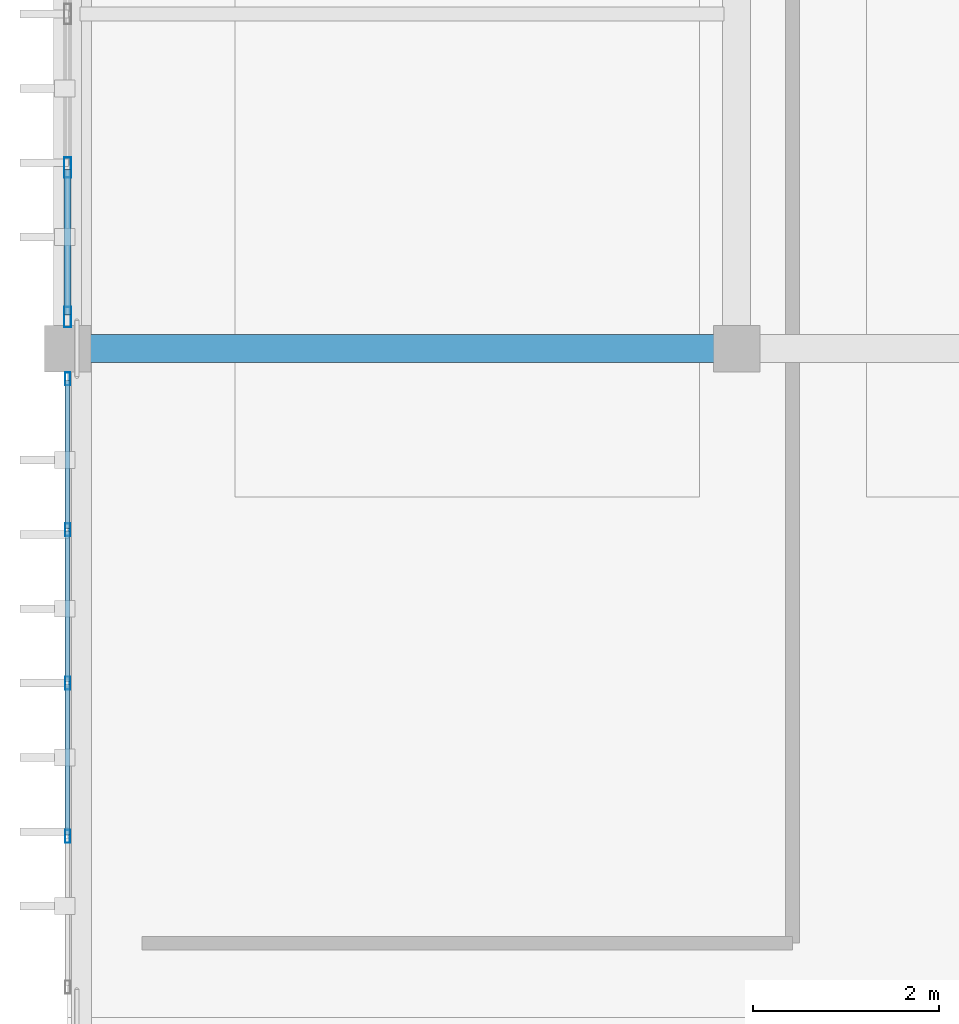
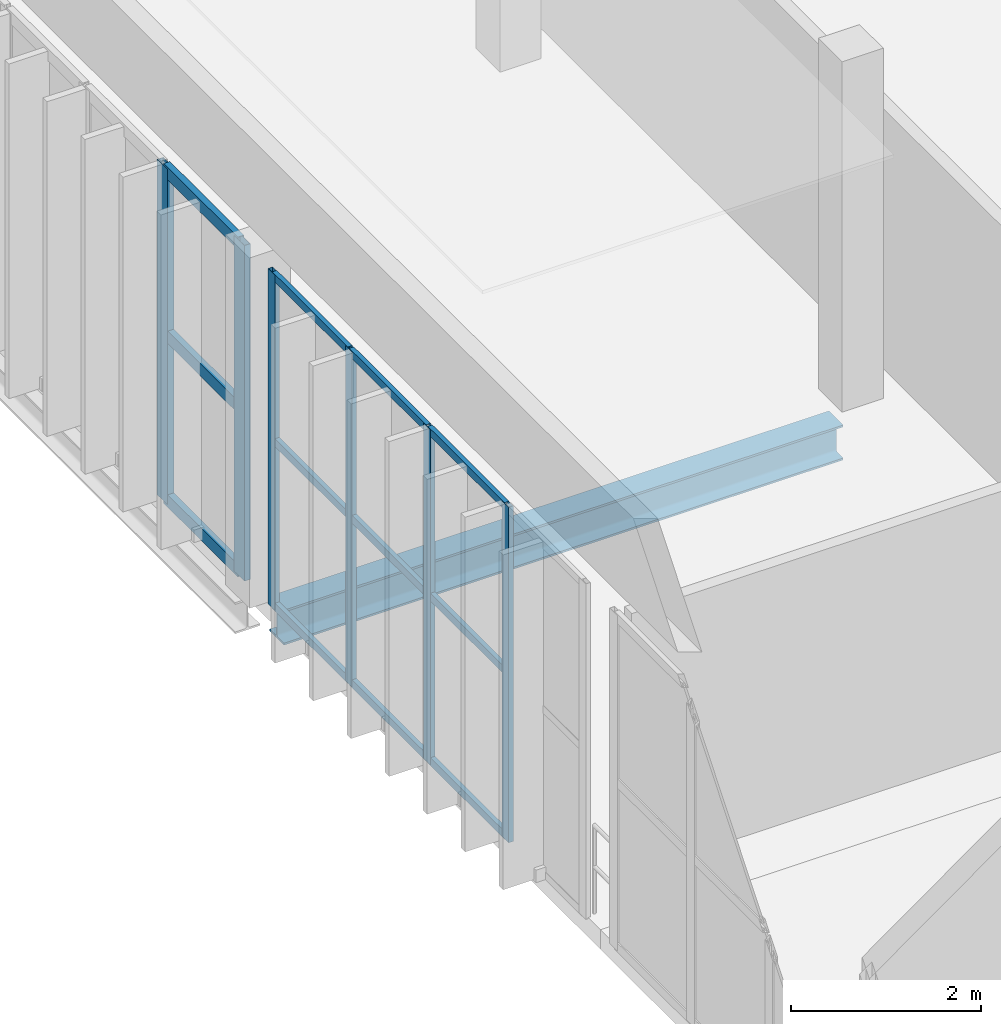
# One storey, part 4 of 64: 18 members, 1 beam, 2 elements without a shape of their own.
"""IFC4 building model written with IfcOpenShell, lengths in metres."""

from ifc_helpers import new_model, si_unit, direction, frame, origin, origin_2d, place, context, subcontext, project, spatial, hollow_rectangle, i_section, extrude, material, material_profile, profile_set, type_object, element, aggregate, save


model = new_model("IFC4")

# Units and contexts
model_context = context("Model", 3, precision=1e-05, world=origin(), true_north=direction((0.0, 1.0)))
body_context = subcontext(model_context, "Body", "Model", "MODEL_VIEW")
ifc_project = project(units=[si_unit("LENGTHUNIT", "METRE"), si_unit("AREAUNIT", "SQUARE_METRE"), si_unit("VOLUMEUNIT", "CUBIC_METRE"), si_unit("PLANEANGLEUNIT", "RADIAN"), si_unit("MASSUNIT", "GRAM", prefix="KILO")], contexts=[model_context])

# Site, building, storey
site_placement = place(None, origin())
site = spatial("IfcSite", under=ifc_project, at=site_placement, CompositionType="ELEMENT")
building_placement = place(site_placement, origin())
building = spatial("IfcBuilding", under=site, at=building_placement, Name="Qandorah Velis Arena", CompositionType="ELEMENT")
storey_placement = place(building_placement, frame((0.0, 0.0, 23.0)))
storey = spatial("IfcBuildingStorey", under=building, at=storey_placement, Name="L05", CompositionType="ELEMENT", Elevation=23.0)

# Curtain wall, members
ifc_material_1 = material(Name="Solar-control low-E double glazing", Category="glass")
curtain_wall_type_1 = type_object("IfcCurtainWallType", Name="ARC-CW-SYS16", PredefinedType="USERDEFINED", material=ifc_material_1)
curtain_wall_1_placement = place(storey_placement, origin())
curtain_wall_1 = element("IfcCurtainWall", 1, at=curtain_wall_1_placement, inside=storey, type_object=curtain_wall_type_1, Name="Unitised curtain wall L05-040", ObjectType="UNITISED CURTAIN WALL", PredefinedType="USERDEFINED")
ifc_material_2 = material(Name="Champagne-bronze anodized aluminium 6063-T6", Category="aluminium")
ifc_material_profile_1 = material_profile(ifc_material_2, hollow_rectangle(XDim=0.054931640625, YDim=0.139892578125, WallThickness=0.0029296875, at=origin_2d()), Name="ALU MULLION 55x140")
ifc_profile_set_1 = profile_set([ifc_material_profile_1], Name="Champagne-bronze anodized aluminium 6063-T6")
member_type_1 = type_object("IfcMemberType", Name="ARC-CWM-140", PredefinedType="MULLION", material=ifc_profile_set_1)
member_1_placement = place(storey_placement, frame((0.0, 16.35009765625, -0.014892578125), z_axis=(0.0, 0.0, 1.0), x_axis=(-1.0, 0.0, 0.0)))
member_1 = element("IfcMember", 2, at=member_1_placement, type_object=member_type_1, Name="CW16 mullion 2", PredefinedType="MULLION", context=body_context, shape_type="SweptSolid", body=[
    extrude(hollow_rectangle(XDim=0.054931640625, YDim=0.139892578125, WallThickness=0.0029296875, at=origin_2d()), origin(), (0.0, 0.0, 1.0), 4.309814453125),
])
member_2_placement = place(storey_placement, frame((0.0, 18.0, -0.014892578125), z_axis=(0.0, 0.0, 1.0), x_axis=(-1.0, 0.0, 0.0)))
member_2 = element("IfcMember", 3, at=member_2_placement, type_object=member_type_1, Name="CW16 mullion 3", PredefinedType="MULLION", context=body_context, shape_type="SweptSolid", body=[
    extrude(hollow_rectangle(XDim=0.054931640625, YDim=0.139892578125, WallThickness=0.0029296875, at=origin_2d()), origin(), (0.0, 0.0, 1.0), 4.309814453125),
])
member_3_placement = place(storey_placement, frame((0.0, 19.64990234375, -0.014892578125), z_axis=(0.0, 0.0, 1.0), x_axis=(-1.0, 0.0, 0.0)))
member_3 = element("IfcMember", 4, at=member_3_placement, type_object=member_type_1, Name="CW16 mullion 4", PredefinedType="MULLION", context=body_context, shape_type="SweptSolid", body=[
    extrude(hollow_rectangle(XDim=0.054931640625, YDim=0.139892578125, WallThickness=0.0029296875, at=origin_2d()), origin(), (0.0, 0.0, 1.0), 4.309814453125),
])
member_4_placement = place(storey_placement, frame((0.0, 21.2724609375, -0.014892578125), z_axis=(0.0, 0.0, 1.0), x_axis=(-1.0, 0.0, 0.0)))
member_4 = element("IfcMember", 5, at=member_4_placement, type_object=member_type_1, Name="CW16 mullion 5", PredefinedType="MULLION", context=body_context, shape_type="SweptSolid", body=[
    extrude(hollow_rectangle(XDim=0.054931640625, YDim=0.139892578125, WallThickness=0.0029296875, at=origin_2d()), origin(), (0.0, 0.0, 1.0), 4.309814453125),
])

curtain_wall_type_2 = type_object("IfcCurtainWallType", Name="ARC-CW-SYS17", PredefinedType="USERDEFINED", material=ifc_material_1)
curtain_wall_2_placement = place(storey_placement, origin())
curtain_wall_2 = element("IfcCurtainWall", 6, at=curtain_wall_2_placement, inside=storey, type_object=curtain_wall_type_2, Name="Unitised curtain wall L05-041", ObjectType="UNITISED CURTAIN WALL", PredefinedType="USERDEFINED")
ifc_material_profile_2 = material_profile(ifc_material_2, hollow_rectangle(XDim=0.074951171875, YDim=0.219970703125, WallThickness=0.00390625, at=origin_2d()), Name="ALU MULLION 75x220")
ifc_profile_set_2 = profile_set([ifc_material_profile_2], Name="Champagne-bronze anodized aluminium 6063-T6")
member_type_2 = type_object("IfcMemberType", Name="ARC-CWM-220", PredefinedType="MULLION", material=ifc_profile_set_2)
member_5_placement = place(storey_placement, frame((0.0, 21.9375, -0.014892578125), z_axis=(0.0, 0.0, 1.0), x_axis=(-1.0, 0.0, 0.0)))
member_5 = element("IfcMember", 7, at=member_5_placement, type_object=member_type_2, Name="CW17 mullion 1", PredefinedType="MULLION", context=body_context, shape_type="SweptSolid", body=[
    extrude(hollow_rectangle(XDim=0.074951171875, YDim=0.219970703125, WallThickness=0.00390625, at=origin_2d()), origin(), (0.0, 0.0, 1.0), 4.309814453125),
])
member_6_placement = place(storey_placement, frame((0.0, 23.550048828125, -0.014892578125), z_axis=(0.0, 0.0, 1.0), x_axis=(-1.0, 0.0, 0.0)))
member_6 = element("IfcMember", 8, at=member_6_placement, type_object=member_type_2, Name="CW17 mullion 2", PredefinedType="MULLION", context=body_context, shape_type="SweptSolid", body=[
    extrude(hollow_rectangle(XDim=0.074951171875, YDim=0.219970703125, WallThickness=0.00390625, at=origin_2d()), origin(), (0.0, 0.0, 1.0), 4.309814453125),
])

# Member
ifc_material_profile_3 = material_profile(ifc_material_2, hollow_rectangle(XDim=0.054931640625, YDim=0.10009765625, WallThickness=0.0029296875, at=origin_2d()), Name="ALU TRANSOM 55x100")
ifc_profile_set_3 = profile_set([ifc_material_profile_3], Name="Champagne-bronze anodized aluminium 6063-T6")
member_type_3 = type_object("IfcMemberType", Name="ARC-CWT-100", PredefinedType="USERDEFINED", material=ifc_profile_set_3)
member_7_placement = place(storey_placement, frame((0.0, 16.365478515625, 0.027587890625), z_axis=(0.0, 1.0, 0.0), x_axis=(-1.0, 0.0, 0.0)))
member_7 = element("IfcMember", 9, at=member_7_placement, type_object=member_type_3, Name="CW16 transom 2.1", ObjectType="TRANSOM", PredefinedType="USERDEFINED", context=body_context, shape_type="SweptSolid", body=[
    extrude(hollow_rectangle(XDim=0.054931640625, YDim=0.10009765625, WallThickness=0.0029296875, at=origin_2d()), origin(), (0.0, 0.0, 1.0), 1.619140625),
])

member_8_placement = place(storey_placement, frame((0.0, 16.365478515625, 2.139892578125), z_axis=(0.0, 1.0, 0.0), x_axis=(-1.0, 0.0, 0.0)))
member_8 = element("IfcMember", 10, at=member_8_placement, type_object=member_type_3, Name="CW16 transom 2.2", ObjectType="TRANSOM", PredefinedType="USERDEFINED", context=body_context, shape_type="SweptSolid", body=[
    extrude(hollow_rectangle(XDim=0.054931640625, YDim=0.10009765625, WallThickness=0.0029296875, at=origin_2d()), origin(), (0.0, 0.0, 1.0), 1.619140625),
])

member_9_placement = place(storey_placement, frame((0.0, 16.365478515625, 4.25244140625), z_axis=(0.0, 1.0, 0.0), x_axis=(-1.0, 0.0, 0.0)))
member_9 = element("IfcMember", 11, at=member_9_placement, type_object=member_type_3, Name="CW16 transom 2.3", ObjectType="TRANSOM", PredefinedType="USERDEFINED", context=body_context, shape_type="SweptSolid", body=[
    extrude(hollow_rectangle(XDim=0.054931640625, YDim=0.10009765625, WallThickness=0.0029296875, at=origin_2d()), origin(), (0.0, 0.0, 1.0), 1.619140625),
])

member_10_placement = place(storey_placement, frame((0.0, 18.015380859375, 0.027587890625), z_axis=(0.0, 1.0, 0.0), x_axis=(-1.0, 0.0, 0.0)))
member_10 = element("IfcMember", 12, at=member_10_placement, type_object=member_type_3, Name="CW16 transom 3.1", ObjectType="TRANSOM", PredefinedType="USERDEFINED", context=body_context, shape_type="SweptSolid", body=[
    extrude(hollow_rectangle(XDim=0.054931640625, YDim=0.10009765625, WallThickness=0.0029296875, at=origin_2d()), origin(), (0.0, 0.0, 1.0), 1.619140625),
])

member_11_placement = place(storey_placement, frame((0.0, 18.015380859375, 2.139892578125), z_axis=(0.0, 1.0, 0.0), x_axis=(-1.0, 0.0, 0.0)))
member_11 = element("IfcMember", 13, at=member_11_placement, type_object=member_type_3, Name="CW16 transom 3.2", ObjectType="TRANSOM", PredefinedType="USERDEFINED", context=body_context, shape_type="SweptSolid", body=[
    extrude(hollow_rectangle(XDim=0.054931640625, YDim=0.10009765625, WallThickness=0.0029296875, at=origin_2d()), origin(), (0.0, 0.0, 1.0), 1.619140625),
])

member_12_placement = place(storey_placement, frame((0.0, 18.015380859375, 4.25244140625), z_axis=(0.0, 1.0, 0.0), x_axis=(-1.0, 0.0, 0.0)))
member_12 = element("IfcMember", 14, at=member_12_placement, type_object=member_type_3, Name="CW16 transom 3.3", ObjectType="TRANSOM", PredefinedType="USERDEFINED", context=body_context, shape_type="SweptSolid", body=[
    extrude(hollow_rectangle(XDim=0.054931640625, YDim=0.10009765625, WallThickness=0.0029296875, at=origin_2d()), origin(), (0.0, 0.0, 1.0), 1.619140625),
])

member_13_placement = place(storey_placement, frame((0.0, 19.66552734375, 0.027587890625), z_axis=(0.0, 1.0, 0.0), x_axis=(-1.0, 0.0, 0.0)))
member_13 = element("IfcMember", 15, at=member_13_placement, type_object=member_type_3, Name="CW16 transom 4.1", ObjectType="TRANSOM", PredefinedType="USERDEFINED", context=body_context, shape_type="SweptSolid", body=[
    extrude(hollow_rectangle(XDim=0.054931640625, YDim=0.10009765625, WallThickness=0.0029296875, at=origin_2d()), origin(), (0.0, 0.0, 1.0), 1.591552734375),
])

member_14_placement = place(storey_placement, frame((0.0, 19.66552734375, 2.139892578125), z_axis=(0.0, 1.0, 0.0), x_axis=(-1.0, 0.0, 0.0)))
member_14 = element("IfcMember", 16, at=member_14_placement, type_object=member_type_3, Name="CW16 transom 4.2", ObjectType="TRANSOM", PredefinedType="USERDEFINED", context=body_context, shape_type="SweptSolid", body=[
    extrude(hollow_rectangle(XDim=0.054931640625, YDim=0.10009765625, WallThickness=0.0029296875, at=origin_2d()), origin(), (0.0, 0.0, 1.0), 1.591552734375),
])

member_15_placement = place(storey_placement, frame((0.0, 19.66552734375, 4.25244140625), z_axis=(0.0, 1.0, 0.0), x_axis=(-1.0, 0.0, 0.0)))
member_15 = element("IfcMember", 17, at=member_15_placement, type_object=member_type_3, Name="CW16 transom 4.3", ObjectType="TRANSOM", PredefinedType="USERDEFINED", context=body_context, shape_type="SweptSolid", body=[
    extrude(hollow_rectangle(XDim=0.054931640625, YDim=0.10009765625, WallThickness=0.0029296875, at=origin_2d()), origin(), (0.0, 0.0, 1.0), 1.591552734375),
])

aggregate(curtain_wall_1, [member_1, member_2, member_3, member_4, member_7, member_8, member_9, member_10, member_11, member_12, member_13, member_14, member_15])

ifc_material_profile_4 = material_profile(ifc_material_2, hollow_rectangle(XDim=0.074951171875, YDim=0.159912109375, WallThickness=0.00341796875, at=origin_2d()), Name="ALU TRANSOM 75x160")
ifc_profile_set_4 = profile_set([ifc_material_profile_4], Name="Champagne-bronze anodized aluminium 6063-T6")
member_type_4 = type_object("IfcMemberType", Name="ARC-CWT-160", PredefinedType="USERDEFINED", material=ifc_profile_set_4)
member_16_placement = place(storey_placement, frame((0.0, 21.962890625, 0.03759765625), z_axis=(0.0, 1.0, 0.0), x_axis=(-1.0, 0.0, 0.0)))
member_16 = element("IfcMember", 18, at=member_16_placement, type_object=member_type_4, Name="CW17 transom 1.1", ObjectType="TRANSOM", PredefinedType="USERDEFINED", context=body_context, shape_type="SweptSolid", body=[
    extrude(hollow_rectangle(XDim=0.074951171875, YDim=0.159912109375, WallThickness=0.00341796875, at=origin_2d()), origin(), (0.0, 0.0, 1.0), 1.5615234375),
])

member_17_placement = place(storey_placement, frame((0.0, 21.962890625, 2.139892578125), z_axis=(0.0, 1.0, 0.0), x_axis=(-1.0, 0.0, 0.0)))
member_17 = element("IfcMember", 19, at=member_17_placement, type_object=member_type_4, Name="CW17 transom 1.2", ObjectType="TRANSOM", PredefinedType="USERDEFINED", context=body_context, shape_type="SweptSolid", body=[
    extrude(hollow_rectangle(XDim=0.074951171875, YDim=0.159912109375, WallThickness=0.00341796875, at=origin_2d()), origin(), (0.0, 0.0, 1.0), 1.5615234375),
])

member_18_placement = place(storey_placement, frame((0.0, 21.962890625, 4.242431640625), z_axis=(0.0, 1.0, 0.0), x_axis=(-1.0, 0.0, 0.0)))
member_18 = element("IfcMember", 20, at=member_18_placement, type_object=member_type_4, Name="CW17 transom 1.3", ObjectType="TRANSOM", PredefinedType="USERDEFINED", context=body_context, shape_type="SweptSolid", body=[
    extrude(hollow_rectangle(XDim=0.074951171875, YDim=0.159912109375, WallThickness=0.00341796875, at=origin_2d()), origin(), (0.0, 0.0, 1.0), 1.5615234375),
])

aggregate(curtain_wall_2, [member_5, member_6, member_16, member_17, member_18])

# Beam
ifc_material_3 = material(Name="Steel S355", Category="steel")
ifc_material_profile_5 = material_profile(ifc_material_3, i_section(OverallWidth=0.300048828125, OverallDepth=0.449951171875, WebThickness=0.013916015625, FlangeThickness=0.02587890625, FilletRadius=0.027099609375, at=origin_2d()), Name="HEB 450")
ifc_profile_set_5 = profile_set([ifc_material_profile_5], Name="Steel S355")
beam_type = type_object("IfcBeamType", Name="STR-BM-HEB450", PredefinedType="BEAM", material=ifc_profile_set_5)
beam_placement = place(storey_placement, frame((0.22509765625, 21.60009765625, -0.47509765625), z_axis=(1.0, 0.0, 0.0), x_axis=(0.0, 1.0, 0.0)))
element("IfcBeam", 21, at=beam_placement, inside=storey, type_object=beam_type, Name="Primary floor girder L05 X-029", PredefinedType="BEAM", context=body_context, shape_type="SweptSolid", body=[
    extrude(i_section(OverallWidth=0.300048828125, OverallDepth=0.449951171875, WebThickness=0.013916015625, FlangeThickness=0.02587890625, FilletRadius=0.027099609375, at=origin_2d()), origin(), (0.0, 0.0, 1.0), 6.79638671875),
])

save(model, "model.ifc")
